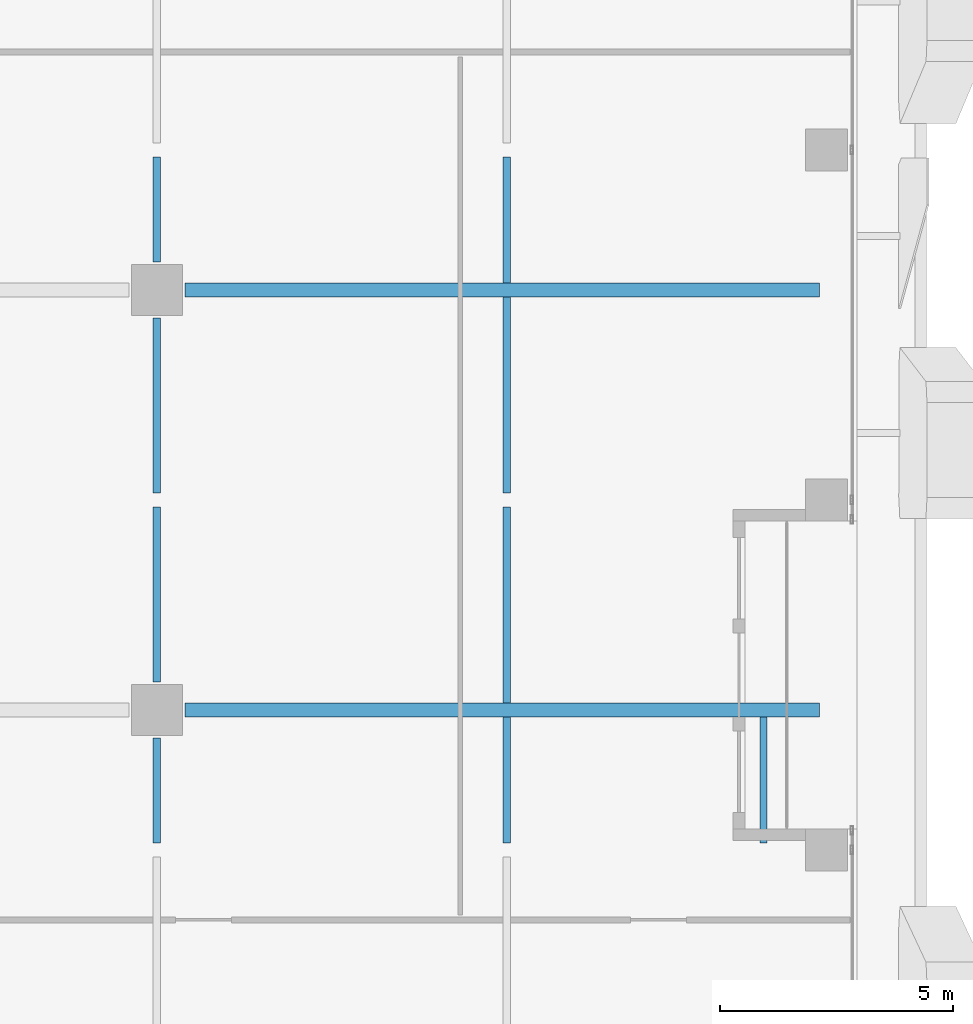
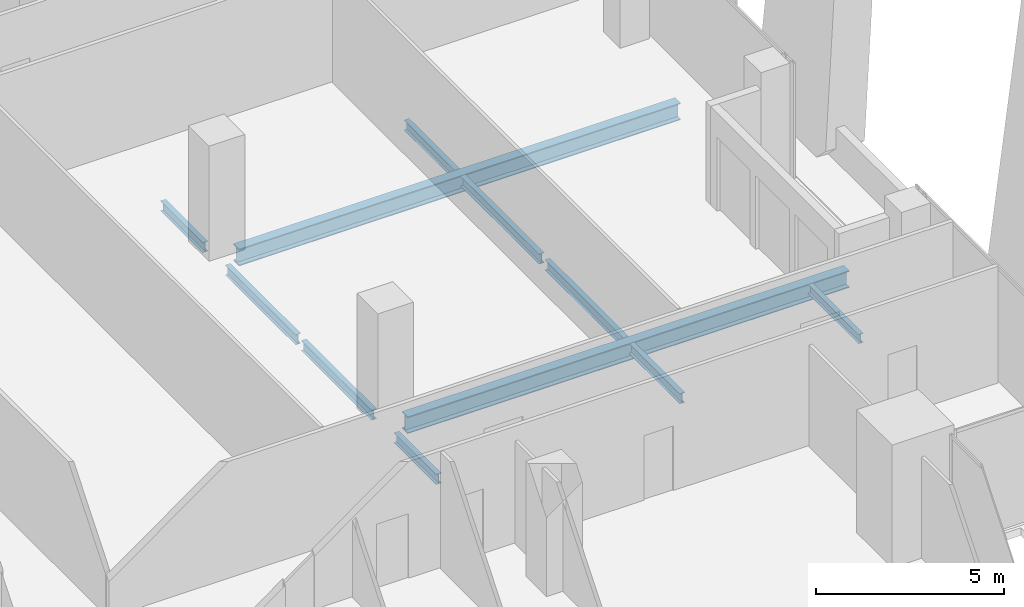
# One storey, part 12 of 33: 11 beams.
"""IFC4 building model written with IfcOpenShell, lengths in metres."""

from ifc_helpers import new_model, si_unit, direction, frame, origin, origin_2d, place, context, subcontext, project, spatial, i_section, extrude, source, transform, mapped, material, material_profile, profile_set, type_object, element, save


model = new_model("IFC4")

# Units and contexts
model_context = context("Model", 3, precision=1e-05, world=origin(), true_north=direction((0.0, 1.0)))
body_context = subcontext(model_context, "Body", "Model", "MODEL_VIEW")
ifc_project = project(units=[si_unit("LENGTHUNIT", "METRE"), si_unit("AREAUNIT", "SQUARE_METRE"), si_unit("VOLUMEUNIT", "CUBIC_METRE"), si_unit("PLANEANGLEUNIT", "RADIAN"), si_unit("MASSUNIT", "GRAM", prefix="KILO")], contexts=[model_context])

# Site, building, storey
site_placement = place(None, origin())
site = spatial("IfcSite", under=ifc_project, at=site_placement, CompositionType="ELEMENT")
building_placement = place(site_placement, origin())
building = spatial("IfcBuilding", under=site, at=building_placement, Name="Khomas Fold Tower", CompositionType="ELEMENT")
storey_placement = place(building_placement, frame((0.0, 0.0, 222.199951171875)))
storey = spatial("IfcBuildingStorey", under=building, at=storey_placement, Name="L49", CompositionType="ELEMENT", Elevation=222.199951171875)

# Beams
ifc_material_1 = material(Name="Steel S355", Category="steel")
ifc_material_profile_1 = material_profile(ifc_material_1, i_section(OverallWidth=0.300048828125, OverallDepth=0.550048828125, WebThickness=0.014892578125, FlangeThickness=0.029052734375, at=origin_2d()), Name="HE 550 B")
ifc_profile_set_1 = profile_set([ifc_material_profile_1], Name="Steel S355")
beam_type_1 = type_object("IfcBeamType", Name="HE 550 B beam GB4", PredefinedType="BEAM", material=ifc_profile_set_1)
shared_shape_1 = source(origin(), body_context, "Body", "SweptSolid", [
    extrude(i_section(OverallWidth=0.300048828125, OverallDepth=0.550048828125, WebThickness=0.014892578125, FlangeThickness=0.029052734375, at=origin_2d()), origin(), (0.0, 0.0, 1.0), 13.599853515625),
])
for number, where, z_axis, x_axis, name in (
    (1, (35.10009765625, 22.5, -0.52490234375), (1.0, 0.0, 0.0), (0.0, 1.0, 0.0), "GB4"),
    (2, (35.10009765625, 31.5, -0.52490234375), (1.0, 0.0, 0.0), (0.0, 1.0, 0.0), "GB4"),
):
    element("IfcBeam", number, at=place(storey_placement, frame(where, z_axis=z_axis, x_axis=x_axis)), inside=storey, type_object=beam_type_1, Name=name, PredefinedType="BEAM", context=body_context, shape_type="MappedRepresentation", body=[
        mapped(shared_shape_1, transform((0.0, 0.0, 0.0))),
    ])
ifc_material_2 = material(Name="Steel S355", Category="steel")
ifc_material_profile_2 = material_profile(ifc_material_2, i_section(OverallWidth=0.159912109375, OverallDepth=0.330078125, WebThickness=0.007568359375, FlangeThickness=0.011474609375, at=origin_2d()), Name="IPE 330")
ifc_profile_set_2 = profile_set([ifc_material_profile_2], Name="Steel S355")
beam_type_2 = type_object("IfcBeamType", Name="IPE 330 beam JB1", PredefinedType="BEAM", material=ifc_profile_set_2)
shared_shape_2 = source(origin(), body_context, "Body", "SweptSolid", [
    extrude(i_section(OverallWidth=0.159912109375, OverallDepth=0.330078125, WebThickness=0.007568359375, FlangeThickness=0.011474609375, at=origin_2d()), origin(), (0.0, 0.0, 1.0), 2.69921875),
])
for number, where, z_axis, x_axis, name in (
    (3, (42.0, 19.65087890625, -0.4150390625), (0.0, 1.0, 0.0), (-1.0, 0.0, 0.0), "JB1"),
    (4, (42.0, 31.64990234375, -0.4150390625), (0.0, 1.0, 0.0), (-1.0, 0.0, 0.0), "JB1"),
):
    element("IfcBeam", number, at=place(storey_placement, frame(where, z_axis=z_axis, x_axis=x_axis)), inside=storey, type_object=beam_type_2, Name=name, PredefinedType="BEAM", context=body_context, shape_type="MappedRepresentation", body=[
        mapped(shared_shape_2, transform((0.0, 0.0, 0.0))),
    ])
shared_shape_3 = source(origin(), body_context, "Body", "SweptSolid", [
    extrude(i_section(OverallWidth=0.159912109375, OverallDepth=0.330078125, WebThickness=0.007568359375, FlangeThickness=0.011474609375, at=origin_2d()), origin(), (0.0, 0.0, 1.0), 4.19921875),
])
for number, where, z_axis, x_axis, name in (
    (5, (42.0, 22.64990234375, -0.4150390625), (0.0, 1.0, 0.0), (-1.0, 0.0, 0.0), "JB1"),
    (6, (42.0, 27.15087890625, -0.4150390625), (0.0, 1.0, 0.0), (-1.0, 0.0, 0.0), "JB1"),
):
    element("IfcBeam", number, at=place(storey_placement, frame(where, z_axis=z_axis, x_axis=x_axis)), inside=storey, type_object=beam_type_2, Name=name, PredefinedType="BEAM", context=body_context, shape_type="MappedRepresentation", body=[
        mapped(shared_shape_3, transform((0.0, 0.0, 0.0))),
    ])
shared_shape_4 = source(origin(), body_context, "Body", "SweptSolid", [
    extrude(i_section(OverallWidth=0.159912109375, OverallDepth=0.330078125, WebThickness=0.007568359375, FlangeThickness=0.011474609375, at=origin_2d()), origin(), (0.0, 0.0, 1.0), 2.2490234375),
])
for number, where, z_axis, x_axis, name in (
    (7, (34.5, 19.65087890625, -0.4150390625), (0.0, 1.0, 0.0), (-1.0, 0.0, 0.0), "JB1"),
    (8, (34.5, 32.10009765625, -0.4150390625), (0.0, 1.0, 0.0), (-1.0, 0.0, 0.0), "JB1"),
):
    element("IfcBeam", number, at=place(storey_placement, frame(where, z_axis=z_axis, x_axis=x_axis)), inside=storey, type_object=beam_type_2, Name=name, PredefinedType="BEAM", context=body_context, shape_type="MappedRepresentation", body=[
        mapped(shared_shape_4, transform((0.0, 0.0, 0.0))),
    ])
shared_shape_5 = source(origin(), body_context, "Body", "SweptSolid", [
    extrude(i_section(OverallWidth=0.159912109375, OverallDepth=0.330078125, WebThickness=0.007568359375, FlangeThickness=0.011474609375, at=origin_2d()), origin(), (0.0, 0.0, 1.0), 3.7490234375),
])
for number, where, z_axis, x_axis, name in (
    (9, (34.5, 23.10009765625, -0.4150390625), (0.0, 1.0, 0.0), (-1.0, 0.0, 0.0), "JB1"),
    (10, (34.5, 27.15087890625, -0.4150390625), (0.0, 1.0, 0.0), (-1.0, 0.0, 0.0), "JB1"),
):
    element("IfcBeam", number, at=place(storey_placement, frame(where, z_axis=z_axis, x_axis=x_axis)), inside=storey, type_object=beam_type_2, Name=name, PredefinedType="BEAM", context=body_context, shape_type="MappedRepresentation", body=[
        mapped(shared_shape_5, transform((0.0, 0.0, 0.0))),
    ])
ifc_material_3 = material(Name="Steel S355", Category="steel")
ifc_material_profile_3 = material_profile(ifc_material_3, i_section(OverallWidth=0.14990234375, OverallDepth=0.300048828125, WebThickness=0.007080078125, FlangeThickness=0.0107421875, at=origin_2d()), Name="IPE 300")
ifc_profile_set_3 = profile_set([ifc_material_profile_3], Name="Steel S355")
beam_type_3 = type_object("IfcBeamType", Name="IPE 300 beam BB2", PredefinedType="BEAM", material=ifc_profile_set_3)
shared_shape_6 = source(origin(), body_context, "Body", "SweptSolid", [
    extrude(i_section(OverallWidth=0.14990234375, OverallDepth=0.300048828125, WebThickness=0.007080078125, FlangeThickness=0.0107421875, at=origin_2d()), origin(), (0.0, 0.0, 1.0), 2.69921875),
])
beam_placement = place(storey_placement, frame((47.5, 19.65087890625, -0.39990234375), z_axis=(0.0, 1.0, 0.0), x_axis=(-1.0, 0.0, 0.0)))
element("IfcBeam", 11, at=beam_placement, inside=storey, type_object=beam_type_3, Name="BB2", PredefinedType="BEAM", context=body_context, shape_type="MappedRepresentation", body=[
    mapped(shared_shape_6, transform((0.0, 0.0, 0.0))),
])

save(model, "model.ifc")
